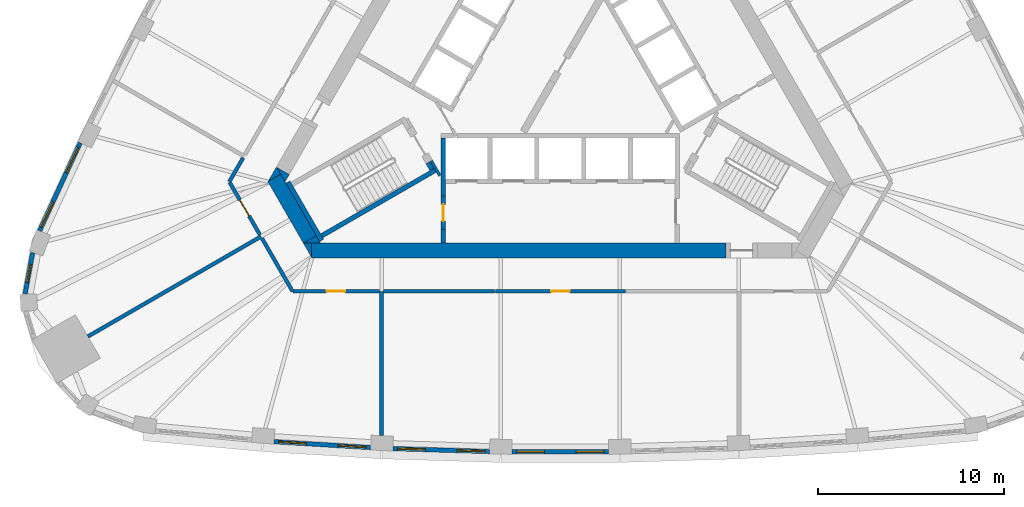
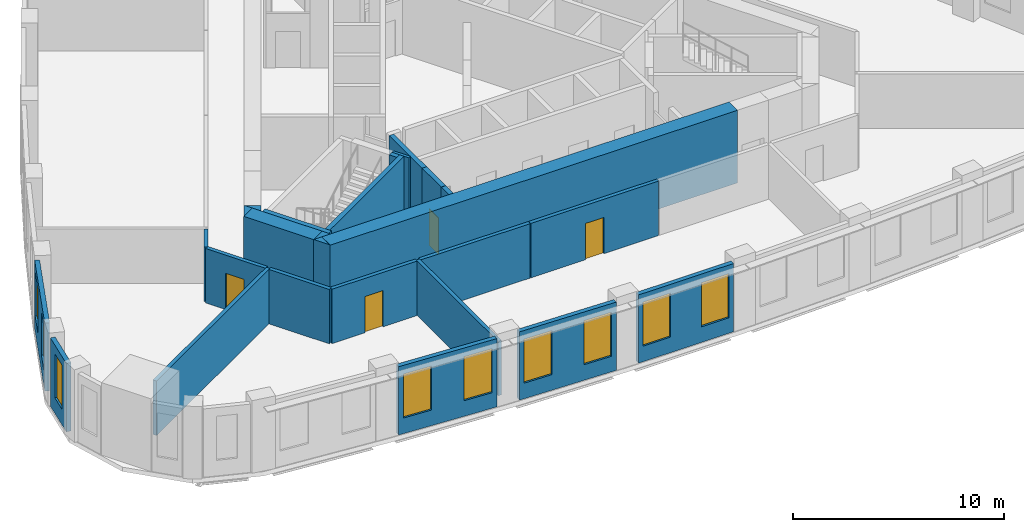
# One storey, part 3 of 9: 26 walls, 9 windows, 4 doors, 13 openings.
"""IFC4 building model written with IfcOpenShell, lengths in metres."""

from ifc_helpers import new_model, si_unit, direction, frame, frame_2d, origin, place, context, subcontext, project, spatial, polyline, rectangle, outline, extrude, material, layer, layer_set, type_object, element, fill, save


model = new_model("IFC4")

# Units and contexts
model_context = context("Model", 3, precision=1e-05, world=origin(), true_north=direction((0.0, 1.0)))
body_context = subcontext(model_context, "Body", "Model", "MODEL_VIEW")
ifc_project = project(units=[si_unit("LENGTHUNIT", "METRE"), si_unit("AREAUNIT", "SQUARE_METRE"), si_unit("VOLUMEUNIT", "CUBIC_METRE"), si_unit("PLANEANGLEUNIT", "RADIAN"), si_unit("MASSUNIT", "GRAM", prefix="KILO")], contexts=[model_context])

# Site, building, storey
site_placement = place(None, origin())
site = spatial("IfcSite", under=ifc_project, at=site_placement, CompositionType="ELEMENT")
building_placement = place(site_placement, origin())
building = spatial("IfcBuilding", under=site, at=building_placement, Name="Mestral Congress Tower", CompositionType="ELEMENT")
storey_placement = place(building_placement, frame((0.0, 0.0, 183.60009765625)))
storey = spatial("IfcBuildingStorey", under=building, at=storey_placement, Name="L43", CompositionType="ELEMENT", Elevation=183.60009765625)

# Walls
ifc_material_1 = material(Name="Concrete C60/75", Category="concrete")
ifc_layer_1 = layer(ifc_material_1, 0.800048828125)
ifc_layer_set_1 = layer_set([ifc_layer_1], Name="Concrete C60/75")
wall_type_1 = type_object("IfcWallType", Name="Core wall RC 800", PredefinedType="SOLIDWALL", material=ifc_layer_set_1)
wall_1_placement = place(storey_placement, frame((-13.377685546875, -10.050048828125, 0.0), z_axis=(0.0, 0.0, 1.0), x_axis=(1.0, 0.0, 0.0)))
element("IfcWall", 1, at=wall_1_placement, inside=storey, type_object=wall_type_1, Name="L43 core wall", PredefinedType="SOLIDWALL", context=body_context, shape_type="SweptSolid", body=[
    extrude(rectangle(XDim=22.281982421875, YDim=0.800048828125, at=frame_2d((11.14111328125, 0.0))), origin(), (0.0, 0.0, 1.0), 4.199951171875),
])
placement = place(storey_placement, origin())
element("IfcWall", 2, at=placement, inside=storey, type_object=wall_type_1, Name="L43 core wall", PredefinedType="SOLIDWALL", context=body_context, shape_type="SweptSolid", body=[
    extrude(outline(polyline([(-13.82763671875, -9.64990234375), (-13.379638671875, -9.64990234375), (-13.379638671875, -10.42578125), (-13.82763671875, -9.64990234375)])), origin(), (0.0, 0.0, 1.0), 4.199951171875),
])
wall_3_placement = place(storey_placement, frame((-15.392333984375, -6.1396484375, 0.0), z_axis=(0.0, 0.0, 1.0), x_axis=(0.499984020225, -0.866034629516, 0.0)))
element("IfcWall", 3, at=wall_3_placement, inside=storey, type_object=wall_type_1, Name="L43 core wall", PredefinedType="SOLIDWALL", context=body_context, shape_type="SweptSolid", body=[
    extrude(rectangle(XDim=3.824462890625, YDim=0.800048828125, at=frame_2d((1.912109375, 0.0))), origin(), (0.0, 0.0, 1.0), 4.199951171875),
])
element("IfcWall", 4, at=placement, inside=storey, type_object=wall_type_1, Name="L43 core wall", PredefinedType="SOLIDWALL", context=body_context, shape_type="SweptSolid", body=[
    extrude(outline(polyline([(-15.046875, -5.93798828125), (-15.718994140625, -6.325927734375), (-15.27099609375, -5.550048828125), (-15.046875, -5.93798828125)])), origin(), (0.0, 0.0, 1.0), 4.199951171875),
])
element("IfcWall", 5, at=placement, inside=storey, type_object=wall_type_1, Name="L43 core wall", PredefinedType="SOLIDWALL", context=body_context, shape_type="SweptSolid", body=[
    extrude(outline(polyline([(-12.90380859375, -9.64990234375), (-13.81982421875, -9.64990234375), (-13.1328125, -9.25341796875), (-12.90380859375, -9.64990234375)])), origin(), (0.0, 0.0, 1.0), 4.199951171875),
])
element("IfcWall", 6, at=placement, inside=storey, type_object=wall_type_1, Name="L43 core wall", PredefinedType="SOLIDWALL", context=body_context, shape_type="SweptSolid", body=[
    extrude(outline(polyline([(-14.80908203125, -6.35009765625), (-15.257080078125, -5.573974609375), (-14.5849609375, -5.9619140625), (-14.80908203125, -6.35009765625)])), origin(), (0.0, 0.0, 1.0), 4.199951171875),
])

# Wall, openings, windows
ifc_material_2 = material(Name="Precast concrete C40/50 with limestone facing", Category="masonry")
ifc_layer_2 = layer(ifc_material_2, 0.239990234375)
ifc_layer_set_2 = layer_set([ifc_layer_2], Name="Precast concrete C40/50 with limestone facing")
wall_type_2 = type_object("IfcWallType", Name="Facade stone wall 240", PredefinedType="SOLIDWALL", material=ifc_layer_set_2)
wall_7_placement = place(storey_placement, frame((-15.404541015625, -20.33837890625, 0.0), z_axis=(0.0, 0.0, 1.0), x_axis=(0.998135294646, -0.061040425794, 0.0)))
wall_7 = element("IfcWall", 7, at=wall_7_placement, inside=storey, type_object=wall_type_2, Name="Facade wall F0-01", PredefinedType="SOLIDWALL", context=body_context, shape_type="SweptSolid", body=[
    extrude(rectangle(XDim=5.20361328125, YDim=0.239990234375, at=frame_2d((2.601806640625, 0.0))), origin(), (0.0, 0.0, 1.0), 3.949951171875),
])
opening_1_placement = place(wall_7_placement, frame((0.248291015625, 0.0, 0.89990234375)))
opening_1 = element("IfcOpeningElement", 8, at=opening_1_placement, cuts=wall_7, Name="Opening W4", PredefinedType="OPENING", context=body_context, shape_type="SweptSolid", body=[
    extrude(rectangle(XDim=1.5, YDim=2.550048828125, at=frame_2d((0.75, 1.27490234375))), frame((0.0, 0.1298828125, 0.0), z_axis=(0.0, -1.0, 0.0), x_axis=(1.0, 0.0, 0.0)), (0.0, 0.0, 1.0), 0.260009765625),
])
opening_2_placement = place(wall_7_placement, frame((3.455078125, 0.0, 0.89990234375)))
opening_2 = element("IfcOpeningElement", 9, at=opening_2_placement, cuts=wall_7, Name="Opening W4", PredefinedType="OPENING", context=body_context, shape_type="SweptSolid", body=[
    extrude(rectangle(XDim=1.5, YDim=2.550048828125, at=frame_2d((0.75, 1.27490234375))), frame((0.0, 0.1298828125, 0.0), z_axis=(0.0, -1.0, 0.0), x_axis=(1.0, 0.0, 0.0)), (0.0, 0.0, 1.0), 0.260009765625),
])
ifc_material_3 = material(Name="Clear low-emissivity double glazing", Category="glass")
window_type_1 = type_object("IfcWindowType", Name="Facade punched window 1500 x 2550 sill 900", PartitioningType="SINGLE_PANEL", PredefinedType="WINDOW", material=ifc_material_3)
window_1_placement = place(opening_1_placement, origin())
window_1 = element("IfcWindow", 10, at=window_1_placement, inside=storey, type_object=window_type_1, Name="Window F0-01a", OverallHeight=2.550048828125, OverallWidth=1.5, PartitioningType="SINGLE_PANEL", PredefinedType="WINDOW", context=body_context, shape_type="SweptSolid", body=[
    extrude(rectangle(XDim=1.5, YDim=2.550048828125, at=frame_2d((0.75, 1.27490234375))), frame((0.0, 0.0400390625, 0.0), z_axis=(0.0, -1.0, 0.0), x_axis=(1.0, 0.0, 0.0)), (0.0, 0.0, 1.0), 0.06005859375),
])
fill(opening_1, window_1)
window_2_placement = place(opening_2_placement, origin())
window_2 = element("IfcWindow", 11, at=window_2_placement, inside=storey, type_object=window_type_1, Name="Window F0-01b", OverallHeight=2.550048828125, OverallWidth=1.5, PartitioningType="SINGLE_PANEL", PredefinedType="WINDOW", context=body_context, shape_type="SweptSolid", body=[
    extrude(rectangle(XDim=1.5, YDim=2.550048828125, at=frame_2d((0.75, 1.27490234375))), frame((0.0, 0.0400390625, 0.0), z_axis=(0.0, -1.0, 0.0), x_axis=(1.0, 0.0, 0.0)), (0.0, 0.0, 1.0), 0.06005859375),
])
fill(opening_2, window_2)

wall_8_placement = place(storey_placement, frame((-9.00732421875, -20.7109375, 0.0), z_axis=(0.0, 0.0, 1.0), x_axis=(0.999533441983, -0.030543384845, 0.0)))
wall_8 = element("IfcWall", 12, at=wall_8_placement, inside=storey, type_object=wall_type_2, Name="Facade wall F0-02", PredefinedType="SOLIDWALL", context=body_context, shape_type="SweptSolid", body=[
    extrude(rectangle(XDim=5.20361328125, YDim=0.239990234375, at=frame_2d((2.601806640625, 0.0))), origin(), (0.0, 0.0, 1.0), 3.949951171875),
])
opening_3_placement = place(wall_8_placement, frame((0.248291015625, 0.0, 0.89990234375)))
opening_3 = element("IfcOpeningElement", 13, at=opening_3_placement, cuts=wall_8, Name="Opening W4", PredefinedType="OPENING", context=body_context, shape_type="SweptSolid", body=[
    extrude(rectangle(XDim=1.5, YDim=2.550048828125, at=frame_2d((0.75, 1.27490234375))), frame((0.0, 0.1298828125, 0.0), z_axis=(0.0, -1.0, 0.0), x_axis=(1.0, 0.0, 0.0)), (0.0, 0.0, 1.0), 0.260009765625),
])
opening_4_placement = place(wall_8_placement, frame((3.455078125, 0.0, 0.89990234375)))
opening_4 = element("IfcOpeningElement", 14, at=opening_4_placement, cuts=wall_8, Name="Opening W4", PredefinedType="OPENING", context=body_context, shape_type="SweptSolid", body=[
    extrude(rectangle(XDim=1.5, YDim=2.550048828125, at=frame_2d((0.75, 1.27490234375))), frame((0.0, 0.1298828125, 0.0), z_axis=(0.0, -1.0, 0.0), x_axis=(1.0, 0.0, 0.0)), (0.0, 0.0, 1.0), 0.260009765625),
])
window_3_placement = place(opening_3_placement, origin())
window_3 = element("IfcWindow", 15, at=window_3_placement, inside=storey, type_object=window_type_1, Name="Window F0-02a", OverallHeight=2.550048828125, OverallWidth=1.5, PartitioningType="SINGLE_PANEL", PredefinedType="WINDOW", context=body_context, shape_type="SweptSolid", body=[
    extrude(rectangle(XDim=1.5, YDim=2.550048828125, at=frame_2d((0.75, 1.27490234375))), frame((0.0, 0.0400390625, 0.0), z_axis=(0.0, -1.0, 0.0), x_axis=(1.0, 0.0, 0.0)), (0.0, 0.0, 1.0), 0.06005859375),
])
fill(opening_3, window_3)
window_4_placement = place(opening_4_placement, origin())
window_4 = element("IfcWindow", 16, at=window_4_placement, inside=storey, type_object=window_type_1, Name="Window F0-02b", OverallHeight=2.550048828125, OverallWidth=1.5, PartitioningType="SINGLE_PANEL", PredefinedType="WINDOW", context=body_context, shape_type="SweptSolid", body=[
    extrude(rectangle(XDim=1.5, YDim=2.550048828125, at=frame_2d((0.75, 1.27490234375))), frame((0.0, 0.0400390625, 0.0), z_axis=(0.0, -1.0, 0.0), x_axis=(1.0, 0.0, 0.0)), (0.0, 0.0, 1.0), 0.06005859375),
])
fill(opening_4, window_4)

wall_9_placement = place(storey_placement, frame((-2.601806640625, -20.88818359375, 0.0), z_axis=(0.0, 0.0, 1.0), x_axis=(1.0, 0.0, 0.0)))
wall_9 = element("IfcWall", 17, at=wall_9_placement, inside=storey, type_object=wall_type_2, Name="Facade wall F0-03", PredefinedType="SOLIDWALL", context=body_context, shape_type="SweptSolid", body=[
    extrude(rectangle(XDim=5.20361328125, YDim=0.239990234375, at=frame_2d((2.601806640625, 0.0))), origin(), (0.0, 0.0, 1.0), 3.949951171875),
])
opening_5_placement = place(wall_9_placement, frame((0.248291015625, 0.0, 0.89990234375)))
opening_5 = element("IfcOpeningElement", 18, at=opening_5_placement, cuts=wall_9, Name="Opening W4", PredefinedType="OPENING", context=body_context, shape_type="SweptSolid", body=[
    extrude(rectangle(XDim=1.5, YDim=2.550048828125, at=frame_2d((0.75, 1.27490234375))), frame((0.0, 0.1298828125, 0.0), z_axis=(0.0, -1.0, 0.0), x_axis=(1.0, 0.0, 0.0)), (0.0, 0.0, 1.0), 0.260009765625),
])
opening_6_placement = place(wall_9_placement, frame((3.455078125, 0.0, 0.89990234375)))
opening_6 = element("IfcOpeningElement", 19, at=opening_6_placement, cuts=wall_9, Name="Opening W4", PredefinedType="OPENING", context=body_context, shape_type="SweptSolid", body=[
    extrude(rectangle(XDim=1.5, YDim=2.550048828125, at=frame_2d((0.75, 1.27490234375))), frame((0.0, 0.1298828125, 0.0), z_axis=(0.0, -1.0, 0.0), x_axis=(1.0, 0.0, 0.0)), (0.0, 0.0, 1.0), 0.260009765625),
])
window_5_placement = place(opening_5_placement, origin())
window_5 = element("IfcWindow", 20, at=window_5_placement, inside=storey, type_object=window_type_1, Name="Window F0-03a", OverallHeight=2.550048828125, OverallWidth=1.5, PartitioningType="SINGLE_PANEL", PredefinedType="WINDOW", context=body_context, shape_type="SweptSolid", body=[
    extrude(rectangle(XDim=1.5, YDim=2.550048828125, at=frame_2d((0.75, 1.27490234375))), frame((0.0, 0.0400390625, 0.0), z_axis=(0.0, -1.0, 0.0), x_axis=(1.0, 0.0, 0.0)), (0.0, 0.0, 1.0), 0.06005859375),
])
fill(opening_5, window_5)
window_6_placement = place(opening_6_placement, origin())
window_6 = element("IfcWindow", 21, at=window_6_placement, inside=storey, type_object=window_type_1, Name="Window F0-03b", OverallHeight=2.550048828125, OverallWidth=1.5, PartitioningType="SINGLE_PANEL", PredefinedType="WINDOW", context=body_context, shape_type="SweptSolid", body=[
    extrude(rectangle(XDim=1.5, YDim=2.550048828125, at=frame_2d((0.75, 1.27490234375))), frame((0.0, 0.0400390625, 0.0), z_axis=(0.0, -1.0, 0.0), x_axis=(1.0, 0.0, 0.0)), (0.0, 0.0, 1.0), 0.06005859375),
])
fill(opening_6, window_6)

wall_10_placement = place(storey_placement, frame((-25.8369140625, -4.2578125, 0.0), z_axis=(0.0, 0.0, 1.0), x_axis=(-0.418722559465, -0.908114209885, 0.0)))
wall_10 = element("IfcWall", 22, at=wall_10_placement, inside=storey, type_object=wall_type_2, Name="Facade wall F2-06", PredefinedType="SOLIDWALL", context=body_context, shape_type="SweptSolid", body=[
    extrude(rectangle(XDim=5.213134765625, YDim=0.239990234375, at=frame_2d((2.6064453125, 0.0))), origin(), (0.0, 0.0, 1.0), 3.949951171875),
])
opening_7_placement = place(wall_10_placement, frame((0.2607421875, 0.0, 0.89990234375)))
opening_7 = element("IfcOpeningElement", 23, at=opening_7_placement, cuts=wall_10, Name="Opening W4", PredefinedType="OPENING", context=body_context, shape_type="SweptSolid", body=[
    extrude(rectangle(XDim=1.5, YDim=2.550048828125, at=frame_2d((0.75, 1.27490234375))), frame((0.0, 0.1298828125, 0.0), z_axis=(0.0, -1.0, 0.0), x_axis=(1.0, 0.0, 0.0)), (0.0, 0.0, 1.0), 0.260009765625),
])
opening_8_placement = place(wall_10_placement, frame((3.492431640625, 0.0, 0.89990234375)))
opening_8 = element("IfcOpeningElement", 24, at=opening_8_placement, cuts=wall_10, Name="Opening W4", PredefinedType="OPENING", context=body_context, shape_type="SweptSolid", body=[
    extrude(rectangle(XDim=1.5, YDim=2.550048828125, at=frame_2d((0.75, 1.27490234375))), frame((0.0, 0.1298828125, 0.0), z_axis=(0.0, -1.0, 0.0), x_axis=(1.0, 0.0, 0.0)), (0.0, 0.0, 1.0), 0.260009765625),
])
window_7_placement = place(opening_7_placement, origin())
window_7 = element("IfcWindow", 25, at=window_7_placement, inside=storey, type_object=window_type_1, Name="Window F2-06a", OverallHeight=2.550048828125, OverallWidth=1.5, PartitioningType="SINGLE_PANEL", PredefinedType="WINDOW", context=body_context, shape_type="SweptSolid", body=[
    extrude(rectangle(XDim=1.5, YDim=2.550048828125, at=frame_2d((0.75, 1.27490234375))), frame((0.0, 0.0400390625, 0.0), z_axis=(0.0, -1.0, 0.0), x_axis=(1.0, 0.0, 0.0)), (0.0, 0.0, 1.0), 0.06005859375),
])
fill(opening_7, window_7)
window_8_placement = place(opening_8_placement, origin())
window_8 = element("IfcWindow", 26, at=window_8_placement, inside=storey, type_object=window_type_1, Name="Window F2-06b", OverallHeight=2.550048828125, OverallWidth=1.5, PartitioningType="SINGLE_PANEL", PredefinedType="WINDOW", context=body_context, shape_type="SweptSolid", body=[
    extrude(rectangle(XDim=1.5, YDim=2.550048828125, at=frame_2d((0.75, 1.27490234375))), frame((0.0, 0.0400390625, 0.0), z_axis=(0.0, -1.0, 0.0), x_axis=(1.0, 0.0, 0.0)), (0.0, 0.0, 1.0), 0.06005859375),
])
fill(opening_8, window_8)

# Wall, opening, window
wall_11_placement = place(storey_placement, frame((-28.392578125, -10.166748046875, 0.0), z_axis=(0.0, 0.0, 1.0), x_axis=(-0.180737189259, -0.983531427265, 0.0)))
wall_11 = element("IfcWall", 27, at=wall_11_placement, inside=storey, type_object=wall_type_2, Name="Facade wall K2-0", PredefinedType="SOLIDWALL", context=body_context, shape_type="SweptSolid", body=[
    extrude(rectangle(XDim=2.25048828125, YDim=0.239990234375, at=frame_2d((1.125244140625, 0.0))), origin(), (0.0, 0.0, 1.0), 3.949951171875),
])
opening_9_placement = place(wall_11_placement, frame((0.625244140625, 0.0, 0.89990234375)))
opening_9 = element("IfcOpeningElement", 28, at=opening_9_placement, cuts=wall_11, Name="Opening W5", PredefinedType="OPENING", context=body_context, shape_type="SweptSolid", body=[
    extrude(rectangle(XDim=1.0, YDim=2.550048828125, at=frame_2d((0.5, 1.27490234375))), frame((0.0, 0.1298828125, 0.0), z_axis=(0.0, -1.0, 0.0), x_axis=(1.0, 0.0, 0.0)), (0.0, 0.0, 1.0), 0.260009765625),
])
window_type_2 = type_object("IfcWindowType", Name="Facade punched window 1000 x 2550 sill 900", PartitioningType="SINGLE_PANEL", PredefinedType="WINDOW", material=ifc_material_3)
window_9_placement = place(opening_9_placement, origin())
window_9 = element("IfcWindow", 29, at=window_9_placement, inside=storey, type_object=window_type_2, Name="Window K2-0", OverallHeight=2.550048828125, OverallWidth=1.0, PartitioningType="SINGLE_PANEL", PredefinedType="WINDOW", context=body_context, shape_type="SweptSolid", body=[
    extrude(rectangle(XDim=1.0, YDim=2.550048828125, at=frame_2d((0.5, 1.27490234375))), frame((0.0, 0.0400390625, 0.0), z_axis=(0.0, -1.0, 0.0), x_axis=(1.0, 0.0, 0.0)), (0.0, 0.0, 1.0), 0.06005859375),
])
fill(opening_9, window_9)

# Wall
ifc_material_4 = material(Name="Dense masonry wall, plastered", Category="masonry")
ifc_layer_3 = layer(ifc_material_4, 0.199951171875)
ifc_layer_set_3 = layer_set([ifc_layer_3], Name="Dense masonry wall, plastered")
wall_type_3 = type_object("IfcWallType", Name="Office tenancy wall 200", PredefinedType="PARTITIONING", material=ifc_layer_set_3)
wall_12_placement = place(storey_placement, frame((-9.6171875, -20.011474609375, 0.0), z_axis=(0.0, 0.0, 1.0), x_axis=(0.0, 1.0, 0.0)))
element("IfcWall", 30, at=wall_12_placement, inside=storey, type_object=wall_type_3, Name="Tenancy wall", PredefinedType="PARTITIONING", context=body_context, shape_type="SweptSolid", body=[
    extrude(rectangle(XDim=7.761474609375, YDim=0.199951171875, at=frame_2d((3.880859375, 0.0))), origin(), (0.0, 0.0, 1.0), 3.14990234375),
])

# Wall, opening, door
wall_13_placement = place(storey_placement, frame((-3.5, -12.25, 0.0), z_axis=(0.0, 0.0, 1.0), x_axis=(1.0, 0.0, 0.0)))
wall_13 = element("IfcWall", 31, at=wall_13_placement, inside=storey, type_object=wall_type_3, Name="Tenancy wall", PredefinedType="PARTITIONING", context=body_context, shape_type="SweptSolid", body=[
    extrude(rectangle(XDim=7.0, YDim=0.199951171875, at=frame_2d((3.5, 0.0))), origin(), (0.0, 0.0, 1.0), 3.14990234375),
])
opening_10_placement = place(wall_13_placement, frame((3.0, 0.0, 0.0)))
opening_10 = element("IfcOpeningElement", 32, at=opening_10_placement, cuts=wall_13, Name="Opening O04-001", PredefinedType="OPENING", context=body_context, shape_type="SweptSolid", body=[
    extrude(rectangle(XDim=1.0, YDim=2.10009765625, at=frame_2d((0.5, 1.050048828125))), frame((0.0, 0.10986328125, 0.0), z_axis=(0.0, -1.0, 0.0), x_axis=(1.0, 0.0, 0.0)), (0.0, 0.0, 1.0), 0.219970703125),
])
ifc_material_5 = material(Name="Fire-rated timber door set", Category="wood")
door_type_1 = type_object("IfcDoorType", Name="Office tenancy entrance door 1000x2100", OperationType="SINGLE_SWING_LEFT", PredefinedType="DOOR", material=ifc_material_5)
door_1_placement = place(opening_10_placement, origin())
door_1 = element("IfcDoor", 33, at=door_1_placement, inside=storey, type_object=door_type_1, Name="Door O04-001", OperationType="SINGLE_SWING_RIGHT", OverallHeight=2.10009765625, OverallWidth=1.0, PredefinedType="DOOR", context=body_context, shape_type="SweptSolid", body=[
    extrude(rectangle(XDim=1.0, YDim=2.10009765625, at=frame_2d((0.5, 1.050048828125))), frame((0.0, 0.02490234375, 0.0), z_axis=(0.0, -1.0, 0.0), x_axis=(1.0, 0.0, 0.0)), (0.0, 0.0, 1.0), 0.050048828125),
])
fill(opening_10, door_1)

# Walls
wall_14_placement = place(storey_placement, frame((-9.51708984375, -12.25, 0.0), z_axis=(0.0, 0.0, 1.0), x_axis=(1.0, 0.0, 0.0)))
element("IfcWall", 34, at=wall_14_placement, inside=storey, type_object=wall_type_3, Name="Tenancy wall", PredefinedType="PARTITIONING", context=body_context, shape_type="SweptSolid", body=[
    extrude(rectangle(XDim=5.987060546875, YDim=0.199951171875, at=frame_2d((2.99365234375, 0.0))), origin(), (0.0, 0.0, 1.0), 3.14990234375),
])
wall_15_placement = place(storey_placement, frame((-16.108154296875, -9.300048828125, 0.0), z_axis=(0.0, 0.0, 1.0), x_axis=(-0.866027180319, -0.499996922939, 0.0)))
element("IfcWall", 35, at=wall_15_placement, inside=storey, type_object=wall_type_3, Name="Tenancy wall", PredefinedType="PARTITIONING", context=body_context, shape_type="SweptSolid", body=[
    extrude(rectangle(XDim=10.75390625, YDim=0.199951171875, at=frame_2d((5.376953125, 0.0))), origin(), (0.0, 0.0, 1.0), 3.14990234375),
])
wall_16_placement = place(storey_placement, frame((-17.06787109375, -5.062255859375, 0.0), z_axis=(0.0, 0.0, 1.0), x_axis=(-0.499935638681, -0.86606255962, 0.0)))
element("IfcWall", 36, at=wall_16_placement, inside=storey, type_object=wall_type_3, Name="Tenancy wall", PredefinedType="PARTITIONING", context=body_context, shape_type="SweptSolid", body=[
    extrude(rectangle(XDim=1.487060546875, YDim=0.199951171875, at=frame_2d((0.74365234375, 0.0))), origin(), (0.0, 0.0, 1.0), 3.14990234375),
])

# Wall, opening, door
wall_17_placement = place(storey_placement, frame((-17.79638671875, -6.3759765625, 0.0), z_axis=(0.0, 0.0, 1.0), x_axis=(0.500001965626, -0.866024268927, 0.0)))
wall_17 = element("IfcWall", 37, at=wall_17_placement, inside=storey, type_object=wall_type_3, Name="Tenancy wall", PredefinedType="PARTITIONING", context=body_context, shape_type="SweptSolid", body=[
    extrude(rectangle(XDim=3.2763671875, YDim=0.199951171875, at=frame_2d((1.63818359375, 0.0))), origin(), (0.0, 0.0, 1.0), 3.14990234375),
])
opening_11_placement = place(wall_17_placement, frame((1.10009765625, 0.0, 0.0)))
opening_11 = element("IfcOpeningElement", 38, at=opening_11_placement, cuts=wall_17, Name="Opening O04-009", PredefinedType="OPENING", context=body_context, shape_type="SweptSolid", body=[
    extrude(rectangle(XDim=1.0, YDim=2.10009765625, at=frame_2d((0.5, 1.050048828125))), frame((0.0, 0.10986328125, 0.0), z_axis=(0.0, -1.0, 0.0), x_axis=(1.0, 0.0, 0.0)), (0.0, 0.0, 1.0), 0.219970703125),
])
door_2_placement = place(opening_11_placement, origin())
door_2 = element("IfcDoor", 39, at=door_2_placement, inside=storey, type_object=door_type_1, Name="Door O04-009", OperationType="SINGLE_SWING_LEFT", OverallHeight=2.10009765625, OverallWidth=1.0, PredefinedType="DOOR", context=body_context, shape_type="SweptSolid", body=[
    extrude(rectangle(XDim=1.0, YDim=2.10009765625, at=frame_2d((0.5, 1.050048828125))), frame((0.0, 0.02490234375, 0.0), z_axis=(0.0, -1.0, 0.0), x_axis=(1.0, 0.0, 0.0)), (0.0, 0.0, 1.0), 0.050048828125),
])
fill(opening_11, door_2)

# Wall
wall_18_placement = place(storey_placement, frame((-16.05810546875, -9.38671875, 0.0), z_axis=(0.0, 0.0, 1.0), x_axis=(0.500046299512, -0.865998671098, 0.0)))
element("IfcWall", 40, at=wall_18_placement, inside=storey, type_object=wall_type_3, Name="Tenancy wall", PredefinedType="PARTITIONING", context=body_context, shape_type="SweptSolid", body=[
    extrude(rectangle(XDim=3.306396484375, YDim=0.199951171875, at=frame_2d((1.6533203125, 0.0))), origin(), (0.0, 0.0, 1.0), 3.14990234375),
])

# Wall, opening, door
wall_19_placement = place(storey_placement, frame((-14.375, -12.25, 0.0), z_axis=(0.0, 0.0, 1.0), x_axis=(1.0, 0.0, 0.0)))
wall_19 = element("IfcWall", 41, at=wall_19_placement, inside=storey, type_object=wall_type_3, Name="Tenancy wall", PredefinedType="PARTITIONING", context=body_context, shape_type="SweptSolid", body=[
    extrude(rectangle(XDim=4.65771484375, YDim=0.199951171875, at=frame_2d((2.328857421875, 0.0))), origin(), (0.0, 0.0, 1.0), 3.14990234375),
])
opening_12_placement = place(wall_19_placement, frame((1.800048828125, 0.0, 0.0)))
opening_12 = element("IfcOpeningElement", 42, at=opening_12_placement, cuts=wall_19, Name="Opening O04-010", PredefinedType="OPENING", context=body_context, shape_type="SweptSolid", body=[
    extrude(rectangle(XDim=1.0, YDim=2.10009765625, at=frame_2d((0.5, 1.050048828125))), frame((0.0, 0.10986328125, 0.0), z_axis=(0.0, -1.0, 0.0), x_axis=(1.0, 0.0, 0.0)), (0.0, 0.0, 1.0), 0.219970703125),
])
door_3_placement = place(opening_12_placement, origin())
door_3 = element("IfcDoor", 43, at=door_3_placement, inside=storey, type_object=door_type_1, Name="Door O04-010", OperationType="SINGLE_SWING_LEFT", OverallHeight=2.10009765625, OverallWidth=1.0, PredefinedType="DOOR", context=body_context, shape_type="SweptSolid", body=[
    extrude(rectangle(XDim=1.0, YDim=2.10009765625, at=frame_2d((0.5, 1.050048828125))), frame((0.0, 0.02490234375, 0.0), z_axis=(0.0, -1.0, 0.0), x_axis=(1.0, 0.0, 0.0)), (0.0, 0.0, 1.0), 0.050048828125),
])
fill(opening_12, door_3)

# Walls
ifc_layer_4 = layer(ifc_material_1, 0.25)
ifc_layer_set_4 = layer_set([ifc_layer_4], Name="Concrete C60/75")
wall_type_4 = type_object("IfcWallType", Name="Shaft wall RC 250", PredefinedType="SOLIDWALL", material=ifc_layer_set_4)
wall_20_placement = place(storey_placement, frame((-6.300048828125, -8.9248046875, 0.0), z_axis=(0.0, 0.0, 1.0), x_axis=(0.0, -1.0, 0.0)))
element("IfcWall", 44, at=wall_20_placement, inside=storey, type_object=wall_type_4, Name="L43 core wall", PredefinedType="SOLIDWALL", context=body_context, shape_type="SweptSolid", body=[
    extrude(rectangle(XDim=0.72509765625, YDim=0.25, at=frame_2d((0.362548828125, 0.0))), origin(), (0.0, 0.0, 1.0), 4.199951171875),
])
wall_21_placement = place(storey_placement, frame((-6.300048828125, -7.12451171875, 0.0), z_axis=(0.0, 0.0, 1.0), x_axis=(0.0, 1.0, 0.0)))
element("IfcWall", 45, at=wall_21_placement, inside=storey, type_object=wall_type_4, Name="L43 core wall", PredefinedType="SOLIDWALL", context=body_context, shape_type="SweptSolid", body=[
    extrude(rectangle(XDim=3.12451171875, YDim=0.25, at=frame_2d((1.562255859375, 0.0))), origin(), (0.0, 0.0, 1.0), 4.199951171875),
])

# Wall, opening, door
wall_22_placement = place(storey_placement, frame((-6.300048828125, -7.12451171875, 0.0), z_axis=(0.0, 0.0, 1.0), x_axis=(0.0, -1.0, 0.0)))
wall_22 = element("IfcWall", 46, at=wall_22_placement, inside=storey, type_object=wall_type_4, Name="L43 door wall", PredefinedType="SOLIDWALL", context=body_context, shape_type="SweptSolid", body=[
    extrude(rectangle(XDim=1.800048828125, YDim=0.25, at=frame_2d((0.89990234375, 0.0))), origin(), (0.0, 0.0, 1.0), 4.199951171875),
])
opening_13_placement = place(wall_22_placement, frame((0.449951171875, 0.0, 0.0)))
opening_13 = element("IfcOpeningElement", 47, at=opening_13_placement, cuts=wall_22, Name="Opening TD3", PredefinedType="OPENING", context=body_context, shape_type="SweptSolid", body=[
    extrude(rectangle(XDim=0.89990234375, YDim=2.10009765625, at=frame_2d((0.449951171875, 1.050048828125))), frame((0.0, 0.135009765625, 0.0), z_axis=(0.0, -1.0, 0.0), x_axis=(1.0, 0.0, 0.0)), (0.0, 0.0, 1.0), 0.27001953125),
])
ifc_material_6 = material(Name="Fire-rated steel door set", Category="steel")
door_type_2 = type_object("IfcDoorType", Name="Core door SR 900x2100", OperationType="SINGLE_SWING_LEFT", PredefinedType="DOOR", material=ifc_material_6)
door_4_placement = place(opening_13_placement, origin())
door_4 = element("IfcDoor", 48, at=door_4_placement, inside=storey, type_object=door_type_2, Name="Door TD3", OperationType="SINGLE_SWING_LEFT", OverallHeight=2.10009765625, OverallWidth=0.89990234375, PredefinedType="DOOR", context=body_context, shape_type="SweptSolid", body=[
    extrude(rectangle(XDim=0.89990234375, YDim=2.10009765625, at=frame_2d((0.449951171875, 1.050048828125))), frame((0.0, 0.02490234375, 0.0), z_axis=(0.0, -1.0, 0.0), x_axis=(1.0, 0.0, 0.0)), (0.0, 0.0, 1.0), 0.050048828125),
])
fill(opening_13, door_4)

# Walls
ifc_layer_5 = layer(ifc_material_1, 0.14990234375)
ifc_layer_set_5 = layer_set([ifc_layer_5], Name="Concrete C60/75")
wall_type_5 = type_object("IfcWallType", Name="Shaft wall RC 250 door-wall 150", PredefinedType="SOLIDWALL", material=ifc_layer_set_5)
wall_23_placement = place(storey_placement, frame((-6.48046875, -6.026611328125, 0.0), z_axis=(0.0, 0.0, 1.0), x_axis=(-0.499927229454, 0.866067413802, 0.0)))
element("IfcWall", 49, at=wall_23_placement, inside=storey, type_object=wall_type_5, Name="L43 core wall", PredefinedType="PARTITIONING", context=body_context, shape_type="SweptSolid", body=[
    extrude(rectangle(XDim=0.928955078125, YDim=0.14990234375, at=frame_2d((0.46435546875, 0.0))), origin(), (0.0, 0.0, 1.0), 4.199951171875),
])
ifc_layer_6 = layer(ifc_material_1, 0.25)
ifc_layer_set_6 = layer_set([ifc_layer_6], Name="Concrete C60/75")
wall_type_6 = type_object("IfcWallType", Name="Stair wall RC 250", PredefinedType="SOLIDWALL", material=ifc_layer_set_6)
wall_24_placement = place(storey_placement, frame((-12.839599609375, -9.510986328125, 0.0), z_axis=(0.0, 0.0, 1.0), x_axis=(-0.499997733992, 0.866026712061, 0.0)))
element("IfcWall", 50, at=wall_24_placement, inside=storey, type_object=wall_type_6, Name="L43 core wall", PredefinedType="SOLIDWALL", context=body_context, shape_type="SweptSolid", body=[
    extrude(rectangle(XDim=3.6337890625, YDim=0.25, at=frame_2d((1.81689453125, 0.0))), origin(), (0.0, 0.0, 1.0), 4.199951171875),
])
wall_25_placement = place(storey_placement, frame((-12.83984375, -9.2607421875, 0.0), z_axis=(0.0, 0.0, 1.0), x_axis=(0.866016039709, 0.500016218704, 0.0)))
element("IfcWall", 51, at=wall_25_placement, inside=storey, type_object=wall_type_6, Name="L43 core wall", PredefinedType="SOLIDWALL", context=body_context, shape_type="SweptSolid", body=[
    extrude(rectangle(XDim=7.050048828125, YDim=0.25, at=frame_2d((3.52490234375, 0.0))), origin(), (0.0, 0.0, 1.0), 4.199951171875),
])
wall_26_placement = place(storey_placement, frame((-6.905029296875, -5.68994140625, 0.0), z_axis=(0.0, 0.0, 1.0), x_axis=(-0.500402024738, 0.865793170242, 0.0)))
element("IfcWall", 52, at=wall_26_placement, inside=storey, type_object=wall_type_6, Name="L43 core wall", PredefinedType="SOLIDWALL", context=body_context, shape_type="SweptSolid", body=[
    extrude(rectangle(XDim=0.425048828125, YDim=0.25, at=frame_2d((0.21240234375, 0.0))), origin(), (0.0, 0.0, 1.0), 4.199951171875),
])

save(model, "model.ifc")
